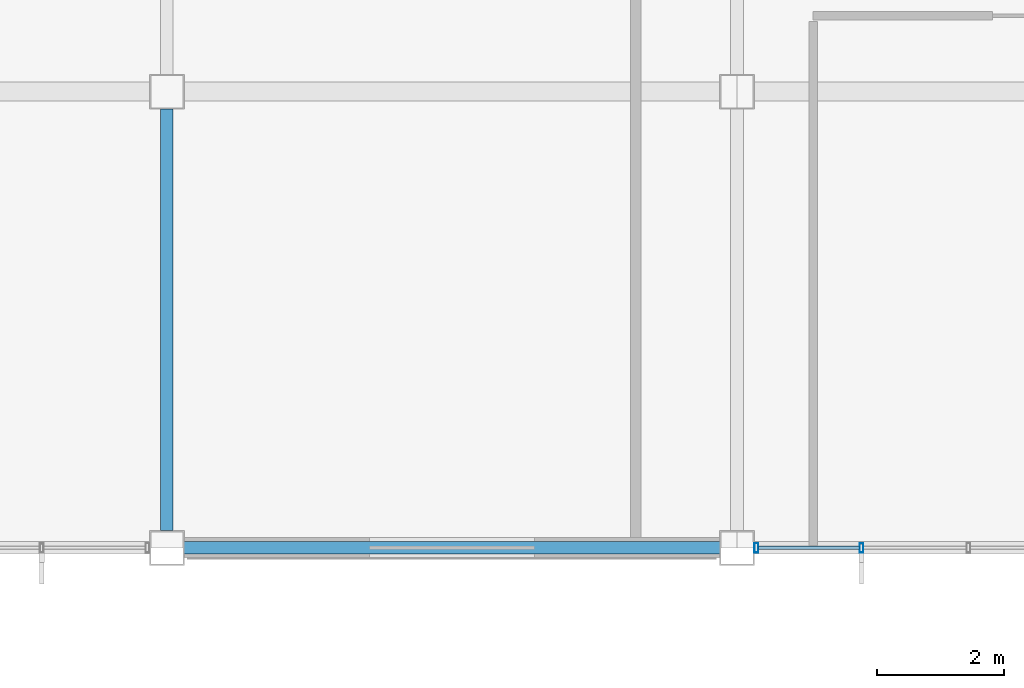
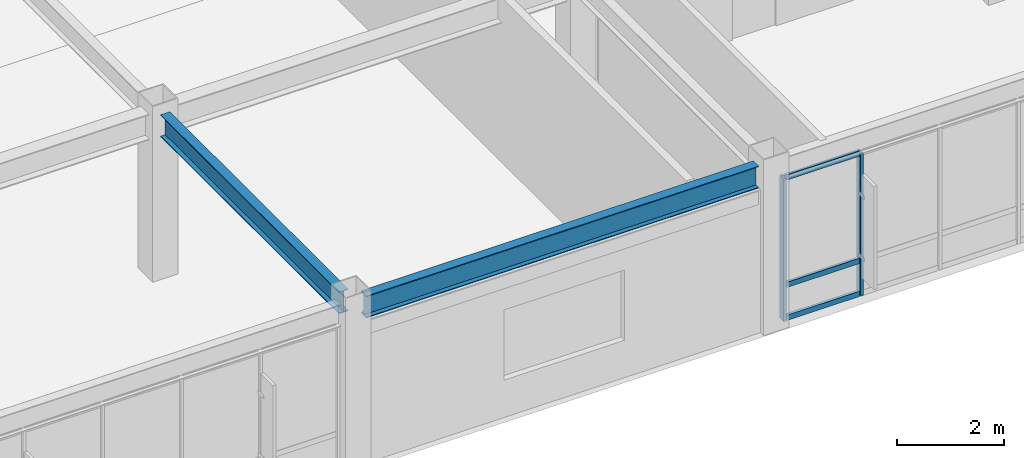
# One storey, part 26 of 122: 5 members, 2 beams, 1 element without a shape of its own.
"""IFC4 building model written with IfcOpenShell, lengths in metres."""

import ifcopenshell
import ifcopenshell.guid

model = None  # the IFC model being written
_history = None  # IfcOwnerHistory: only IFC2X3 demands one
_inside = {}  # id of a spatial element -> (the spatial element, [elements in it])
_under = {}  # id of a project, library or spatial element -> (it, [spatial elements below it])
_declared = {}  # id of a project -> (the project, [libraries it declares])
_typed = {}  # id of a type object -> (the type object, [elements of that type])
_made_of = {}  # id of a material, layer set ... -> (it, [elements and type objects made of it])


def new_model(schema):
    """Start an empty IFC model of exactly this schema.

    Asked for "IFC4X3", IfcOpenShell would pick the latest addendum, in which some entities
    have other attributes; the version numbers below select the first issue.
    IFC2X3 requires an IfcOwnerHistory on every rooted entity: one is made here for all.
    """
    global model, _history
    if schema == "IFC4X3":
        model = ifcopenshell.file(schema_version=(4, 3, 0, 0))
    else:
        model = ifcopenshell.file(schema=schema)
    _inside.clear()
    _under.clear()
    _declared.clear()
    _typed.clear()
    _made_of.clear()
    _history = None
    if model.schema == "IFC2X3":
        org = make("IfcOrganization", Name="unknown")
        user = make(
            "IfcPersonAndOrganization",
            ThePerson=make("IfcPerson", FamilyName="unknown"),
            TheOrganization=org,
        )
        app = make(
            "IfcApplication",
            ApplicationDeveloper=org,
            Version="unknown",
            ApplicationFullName="unknown",
            ApplicationIdentifier="unknown",
        )
        _history = make(
            "IfcOwnerHistory",
            OwningUser=user,
            OwningApplication=app,
            ChangeAction="ADDED",
            CreationDate=0,
        )
    return model


def make(cls, **values):
    """One entity of the class cls with the attributes given. An attribute that is None is left unset."""
    return model.create_entity(
        cls, **{name: value for name, value in values.items() if value is not None}
    )


def rooted(cls, **values):
    """An entity with a GlobalId (a new one), such as an element, a storey or a relation."""
    return make(cls, GlobalId=ifcopenshell.guid.new(), OwnerHistory=_history, **values)


def si_unit(unit_type, name, prefix=None):
    """IfcSIUnit, for example si_unit("LENGTHUNIT", "METRE", prefix="MILLI")."""
    return make("IfcSIUnit", UnitType=unit_type, Prefix=prefix, Name=name)


def assignment(units):
    """IfcUnitAssignment: the units of a project."""
    return None if units is None else make("IfcUnitAssignment", Units=units)


def point(xyz):
    """IfcCartesianPoint."""
    return None if xyz is None else make("IfcCartesianPoint", Coordinates=xyz)


def direction(xyz):
    """IfcDirection."""
    return None if xyz is None else make("IfcDirection", DirectionRatios=xyz)


def frame(location, z_axis=None, x_axis=None):
    """IfcAxis2Placement3D, a coordinate frame: its origin and axes. An axis left out is left unset."""
    return make(
        "IfcAxis2Placement3D",
        Location=point(location),
        Axis=direction(z_axis),
        RefDirection=direction(x_axis),
    )


def frame_2d(location, x_axis=None):
    """IfcAxis2Placement2D, a coordinate frame in the plane: its origin and x axis."""
    return make(
        "IfcAxis2Placement2D", Location=point(location), RefDirection=direction(x_axis)
    )


def origin():
    """The frame at (0, 0, 0) with its axes left unset."""
    return frame((0.0, 0.0, 0.0))


def origin_2d():
    """The frame at (0, 0) in the plane with its x axis left unset."""
    return frame_2d((0.0, 0.0))


def place(relative_to, where):
    """IfcLocalPlacement: puts the frame where relative to a parent placement (None: the world)."""
    return make(
        "IfcLocalPlacement", PlacementRelTo=relative_to, RelativePlacement=where
    )


def context(
    kind, dimensions, precision=None, world=None, true_north=None, identifier=None
):
    """IfcGeometricRepresentationContext, for example the 3D "Model" context."""
    return make(
        "IfcGeometricRepresentationContext",
        ContextIdentifier=identifier,
        ContextType=kind,
        CoordinateSpaceDimension=dimensions,
        Precision=precision,
        WorldCoordinateSystem=world,
        TrueNorth=true_north,
    )


def subcontext(parent, identifier, kind, view, scale=None):
    """IfcGeometricRepresentationSubContext, for example "Body" below "Model"."""
    return make(
        "IfcGeometricRepresentationSubContext",
        ContextIdentifier=identifier,
        ContextType=kind,
        ParentContext=parent,
        TargetScale=scale,
        TargetView=view,
    )


def project(units=None, contexts=None):
    """IfcProject with its units and contexts."""
    return rooted(
        "IfcProject",
        Name="project",
        RepresentationContexts=contexts,
        UnitsInContext=assignment(units),
    )


def spatial(cls, under=None, at=None, **own):
    """A site, building, storey or space (cls), placed at a placement, below another one or the project."""
    s = rooted(cls, ObjectPlacement=at, **own)
    if under is not None:
        _under.setdefault(under.id(), (under, []))[1].append(s)
    return s


def profile(cls, at=None, kind="AREA", **sizes):
    """A parametric profile (cls). Its sizes go by their IFC names, for example OverallWidth=200.0."""
    return make(cls, ProfileType=kind, Position=at, **sizes)


def hollow_rectangle(**sizes):
    """IfcRectangleHollowProfileDef."""
    return profile("IfcRectangleHollowProfileDef", **sizes)


def i_section(**sizes):
    """IfcIShapeProfileDef."""
    return profile("IfcIShapeProfileDef", **sizes)


def extrude(swept, where, along, depth):
    """IfcExtrudedAreaSolid: the profile swept, set in the frame where, extruded along a direction by depth."""
    return make(
        "IfcExtrudedAreaSolid",
        SweptArea=swept,
        Position=where,
        ExtrudedDirection=direction(along),
        Depth=depth,
    )


def shape(context_of_items, identifier, shape_type, items):
    """IfcShapeRepresentation: the items that make up one representation, for example the "Body"."""
    return make(
        "IfcShapeRepresentation",
        ContextOfItems=context_of_items,
        RepresentationIdentifier=identifier,
        RepresentationType=shape_type,
        Items=items,
    )


def material(Name=None, Category=None):
    """IfcMaterial."""
    return make("IfcMaterial", Name=Name, Category=Category)


def material_profile(
    of_material, cross_section, Name=None, Category=None, Priority=None
):
    """IfcMaterialProfile: a cross section and its material."""
    return make(
        "IfcMaterialProfile",
        Name=Name,
        Material=of_material,
        Profile=cross_section,
        Priority=Priority,
        Category=Category,
    )


def profile_set(profiles, Name=None, composite=None):
    """IfcMaterialProfileSet."""
    return make(
        "IfcMaterialProfileSet",
        Name=Name,
        MaterialProfiles=profiles,
        CompositeProfile=composite,
    )


def made_of(thing, what):
    """Note that an element or type object is made of a material, layer set ...; save() writes the relation."""
    if what is not None:
        _made_of.setdefault(what.id(), (what, []))[1].append(thing)
    return thing


def type_object(cls, material=None, **own):
    """A type object (cls), such as IfcWallType, which elements share."""
    return made_of(rooted(cls, **own), material)


def element(
    cls,
    number,
    at=None,
    inside=None,
    cuts=None,
    type_object=None,
    material=None,
    context=None,
    identifier="Body",
    shape_type=None,
    held_by="IfcProductDefinitionShape",
    body=None,
    shapes=None,
    **own,
):
    """One element of the class cls, such as IfcWall. Its Tag is "e" and its number.

    at: its placement. inside: the storey or other place that contains it. cuts: it is an
    opening in that element (IfcRelVoidsElement). A single representation is given by context,
    identifier, shape_type and body (its items); several are given by shapes. held_by: the class
    of the entity that holds the representations. save() writes the other relations.
    """
    e = rooted(cls, Tag="e%d" % number, ObjectPlacement=at, **own)
    if body is not None:
        shapes = [shape(context, identifier, shape_type, body)]
    if shapes is not None:
        e.Representation = make(held_by, Representations=shapes)
    if inside is not None:
        _inside.setdefault(inside.id(), (inside, []))[1].append(e)
    if cuts is not None:
        rooted(
            "IfcRelVoidsElement", RelatingBuildingElement=cuts, RelatedOpeningElement=e
        )
    if type_object is not None:
        _typed.setdefault(type_object.id(), (type_object, []))[1].append(e)
    return made_of(e, material)


def aggregate(whole, parts):
    """IfcRelAggregates: a whole, such as a stair, and the parts it consists of."""
    return rooted("IfcRelAggregates", RelatingObject=whole, RelatedObjects=parts)


def save(model, path):
    """Write the relations noted so far, then the file.

    IfcRelAggregates (storeys below a building ...), IfcRelContainedInSpatialStructure (elements
    in a storey), IfcRelDefinesByType, IfcRelAssociatesMaterial and IfcRelDeclares: one each for
    every whole, place, type object, material and project.
    """
    for whole, parts in _under.values():
        aggregate(whole, parts)
    for where, things in _inside.values():
        rooted(
            "IfcRelContainedInSpatialStructure",
            RelatedElements=things,
            RelatingStructure=where,
        )
    for kind, things in _typed.values():
        rooted("IfcRelDefinesByType", RelatedObjects=things, RelatingType=kind)
    for what, things in _made_of.values():
        rooted("IfcRelAssociatesMaterial", RelatedObjects=things, RelatingMaterial=what)
    for by, libraries in _declared.values():
        rooted("IfcRelDeclares", RelatingContext=by, RelatedDefinitions=libraries)
    model.write(path)


model = new_model("IFC4")

# Units and contexts
model_context = context("Model", 3, precision=1e-05, world=origin(), true_north=direction((0.0, 1.0)))
body_context = subcontext(model_context, "Body", "Model", "MODEL_VIEW")
ifc_project = project(units=[si_unit("LENGTHUNIT", "METRE"), si_unit("AREAUNIT", "SQUARE_METRE"), si_unit("VOLUMEUNIT", "CUBIC_METRE"), si_unit("PLANEANGLEUNIT", "RADIAN"), si_unit("MASSUNIT", "GRAM", prefix="KILO")], contexts=[model_context])

# Site, building, storey
site_placement = place(None, origin())
site = spatial("IfcSite", under=ifc_project, at=site_placement, CompositionType="ELEMENT")
building_placement = place(site_placement, origin())
building = spatial("IfcBuilding", under=site, at=building_placement, Name="Kazanami Central Library", CompositionType="ELEMENT")
storey_placement = place(building_placement, frame((0.0, 0.0, 4.800048828125)))
storey = spatial("IfcBuildingStorey", under=building, at=storey_placement, Name="L02", CompositionType="ELEMENT", Elevation=4.800048828125)

# Beams
ifc_material_1 = material(Name="Steel SN490B (325 MPa)", Category="steel")
ifc_material_profile_1 = material_profile(ifc_material_1, i_section(OverallWidth=0.199951171875, OverallDepth=0.5, WebThickness=0.010009765625, FlangeThickness=0.01611328125, at=origin_2d()), Name="H-500x200x10x16")
ifc_profile_set_1 = profile_set([ifc_material_profile_1], Name="Steel SN490B (325 MPa)")
beam_type_1 = type_object("IfcBeamType", Name="BM-G-Y2", PredefinedType="BEAM", material=ifc_profile_set_1)
beam_1_placement = place(storey_placement, frame((9.0, 57.873046875, 3.5048828125), z_axis=(0.0, 1.0, 0.0), x_axis=(-1.0, 0.0, 0.0)))
element("IfcBeam", 1, at=beam_1_placement, inside=storey, type_object=beam_type_1, Name="Girder G-Y2 L02 2/J-K", PredefinedType="BEAM", context=body_context, shape_type="SweptSolid", body=[
    extrude(i_section(OverallWidth=0.199951171875, OverallDepth=0.5, WebThickness=0.010009765625, FlangeThickness=0.01611328125, at=origin_2d()), origin(), (0.0, 0.0, 1.0), 6.654052734375),
])
ifc_material_profile_2 = material_profile(ifc_material_1, i_section(OverallWidth=0.199951171875, OverallDepth=0.5, WebThickness=0.010009765625, FlangeThickness=0.01611328125, at=origin_2d()), Name="H-500x200x10x16")
ifc_profile_set_2 = profile_set([ifc_material_profile_2], Name="Steel SN490B (325 MPa)")
beam_type_2 = type_object("IfcBeamType", Name="BM-SP-1", PredefinedType="SPANDREL", material=ifc_profile_set_2)
beam_2_placement = place(storey_placement, frame((9.27294921875, 57.60009765625, 3.5048828125), z_axis=(1.0, 0.0, 0.0), x_axis=(0.0, 1.0, 0.0)))
element("IfcBeam", 2, at=beam_2_placement, inside=storey, type_object=beam_type_2, Name="Girder SP-1 L02 J/2-3", PredefinedType="SPANDREL", context=body_context, shape_type="SweptSolid", body=[
    extrude(i_section(OverallWidth=0.199951171875, OverallDepth=0.5, WebThickness=0.010009765625, FlangeThickness=0.01611328125, at=origin_2d()), origin(), (0.0, 0.0, 1.0), 8.4541015625),
])

# Curtain wall, members
ifc_material_2 = material(Name="Acid-Etched Low-E Laminated Glass", Category="glass")
curtain_wall_type = type_object("IfcCurtainWallType", Name="CW-8450x3255-M180", PredefinedType="USERDEFINED", material=ifc_material_2)
curtain_wall_placement = place(storey_placement, origin())
curtain_wall = element("IfcCurtainWall", 3, at=curtain_wall_placement, inside=storey, type_object=curtain_wall_type, Name="Unitised Curtain Wall CW-17 L02 S-J-02", ObjectType="UNITISED CURTAIN WALL", PredefinedType="USERDEFINED")
ifc_material_3 = material(Name="Anodised Aluminium A6063-T5", Category="aluminium")
ifc_material_profile_3 = material_profile(ifc_material_3, hollow_rectangle(XDim=0.06005859375, YDim=0.14990234375, WallThickness=0.00390625, at=origin_2d()), Name="ALU-MULL-60x150x4")
ifc_profile_set_3 = profile_set([ifc_material_profile_3], Name="Anodised Aluminium A6063-T5")
member_type_1 = type_object("IfcMemberType", Name="MEM-CW-M3", PredefinedType="MULLION", material=ifc_profile_set_3)
member_1_placement = place(storey_placement, frame((18.304931640625, 57.60009765625, 0.0), z_axis=(0.0, 0.0, 1.0), x_axis=(1.0, 0.0, 0.0)))
member_1 = element("IfcMember", 4, at=member_1_placement, type_object=member_type_1, Name="CW-17 mullion 1", PredefinedType="MULLION", context=body_context, shape_type="SweptSolid", body=[
    extrude(hollow_rectangle(XDim=0.06005859375, YDim=0.14990234375, WallThickness=0.00390625, at=origin_2d()), origin(), (0.0, 0.0, 1.0), 3.2548828125),
])
member_2_placement = place(storey_placement, frame((19.965087890625, 57.60009765625, 0.0), z_axis=(0.0, 0.0, 1.0), x_axis=(1.0, 0.0, 0.0)))
member_2 = element("IfcMember", 5, at=member_2_placement, type_object=member_type_1, Name="CW-17 mullion 2", PredefinedType="MULLION", context=body_context, shape_type="SweptSolid", body=[
    extrude(hollow_rectangle(XDim=0.06005859375, YDim=0.14990234375, WallThickness=0.00390625, at=origin_2d()), origin(), (0.0, 0.0, 1.0), 3.2548828125),
])
ifc_material_profile_4 = material_profile(ifc_material_3, hollow_rectangle(XDim=0.06005859375, YDim=0.1201171875, WallThickness=0.00341796875, at=origin_2d()), Name="ALU-TRAN-60x120x3.5")
ifc_profile_set_4 = profile_set([ifc_material_profile_4], Name="Anodised Aluminium A6063-T5")
member_type_2 = type_object("IfcMemberType", Name="MEM-CW-T3", PredefinedType="USERDEFINED", material=ifc_profile_set_4)
member_3_placement = place(storey_placement, frame((18.3349609375, 57.60009765625, 0.030029296875), z_axis=(1.0, 0.0, 0.0), x_axis=(0.0, 1.0, 0.0)))
member_3 = element("IfcMember", 6, at=member_3_placement, type_object=member_type_2, Name="CW-17 transom 1.1", ObjectType="TRANSOM", PredefinedType="USERDEFINED", context=body_context, shape_type="SweptSolid", body=[
    extrude(hollow_rectangle(XDim=0.06005859375, YDim=0.1201171875, WallThickness=0.00341796875, at=origin_2d()), origin(), (0.0, 0.0, 1.0), 1.60009765625),
])
member_4_placement = place(storey_placement, frame((18.3349609375, 57.60009765625, 0.780029296875), z_axis=(1.0, 0.0, 0.0), x_axis=(0.0, 1.0, 0.0)))
member_4 = element("IfcMember", 7, at=member_4_placement, type_object=member_type_2, Name="CW-17 transom 1.2", ObjectType="TRANSOM", PredefinedType="USERDEFINED", context=body_context, shape_type="SweptSolid", body=[
    extrude(hollow_rectangle(XDim=0.06005859375, YDim=0.1201171875, WallThickness=0.00341796875, at=origin_2d()), origin(), (0.0, 0.0, 1.0), 1.60009765625),
])
member_5_placement = place(storey_placement, frame((18.3349609375, 57.60009765625, 3.224853515625), z_axis=(1.0, 0.0, 0.0), x_axis=(0.0, 1.0, 0.0)))
member_5 = element("IfcMember", 8, at=member_5_placement, type_object=member_type_2, Name="CW-17 transom 1.3", ObjectType="TRANSOM", PredefinedType="USERDEFINED", context=body_context, shape_type="SweptSolid", body=[
    extrude(hollow_rectangle(XDim=0.06005859375, YDim=0.1201171875, WallThickness=0.00341796875, at=origin_2d()), origin(), (0.0, 0.0, 1.0), 1.60009765625),
])
aggregate(curtain_wall, [member_1, member_2, member_3, member_4, member_5])

save(model, "model.ifc")
